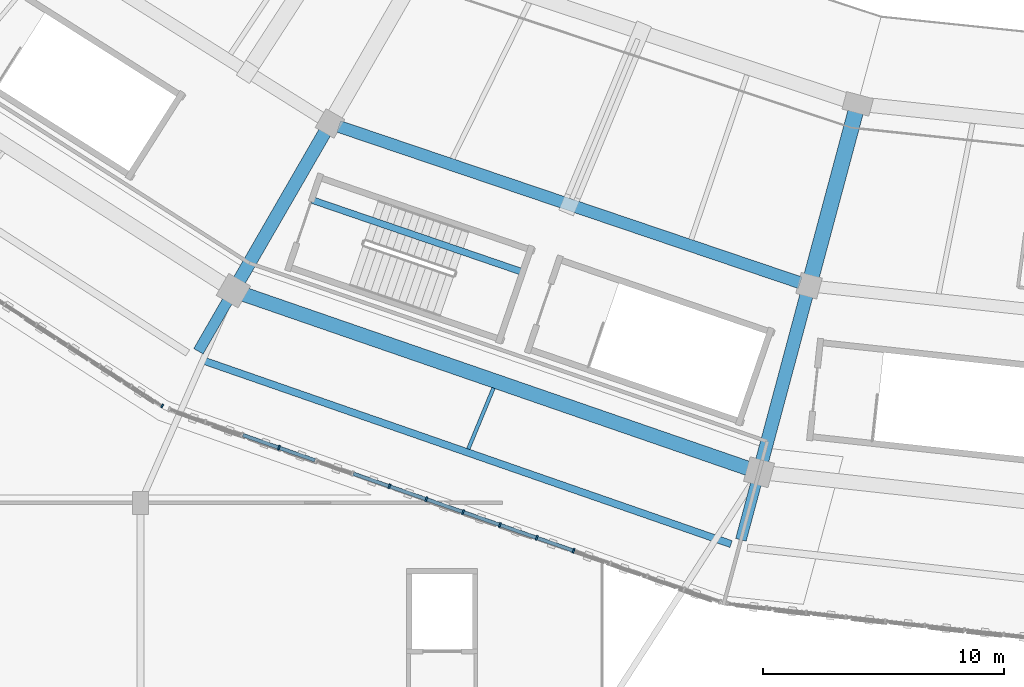
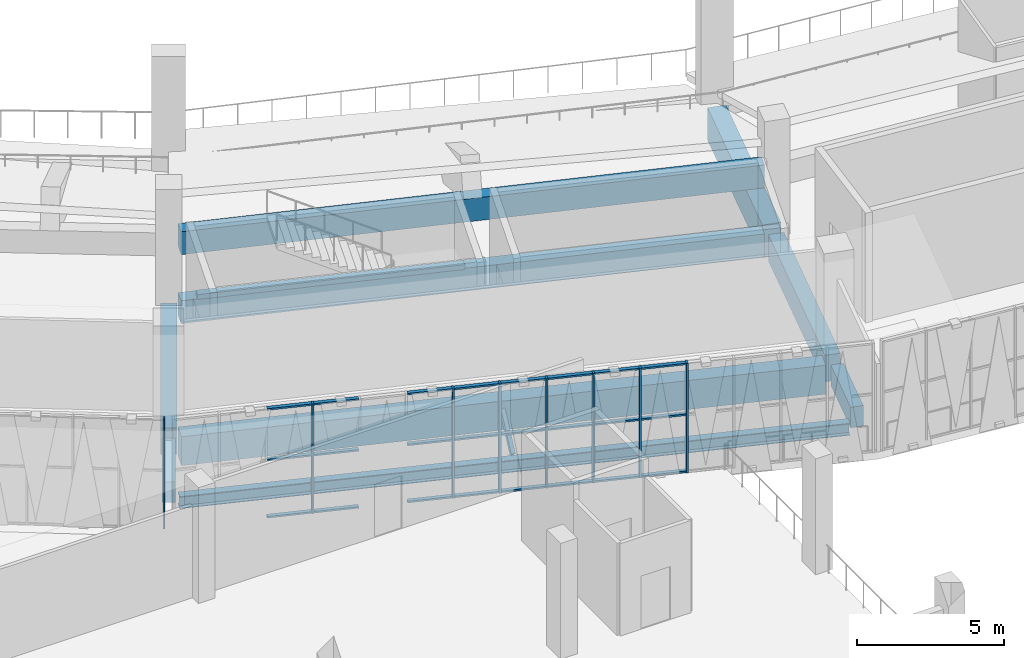
# One storey, part 14 of 152: 32 members, 11 beams, 2 elements without a shape of their own.
"""IFC4 building model written with IfcOpenShell, lengths in metres."""

from ifc_helpers import new_model, si_unit, direction, frame, origin, origin_2d, place, context, subcontext, project, spatial, rectangle, i_section, extrude, material, material_profile, profile_set, type_object, element, aggregate, save


model = new_model("IFC4")

# Units and contexts
model_context = context("Model", 3, precision=1e-05, world=origin(), true_north=direction((0.0, 1.0)))
body_context = subcontext(model_context, "Body", "Model", "MODEL_VIEW")
ifc_project = project(units=[si_unit("LENGTHUNIT", "METRE"), si_unit("AREAUNIT", "SQUARE_METRE"), si_unit("VOLUMEUNIT", "CUBIC_METRE"), si_unit("PLANEANGLEUNIT", "RADIAN"), si_unit("MASSUNIT", "GRAM", prefix="KILO")], contexts=[model_context])

# Site, building, storey
site_placement = place(None, origin())
site = spatial("IfcSite", under=ifc_project, at=site_placement, CompositionType="ELEMENT")
building_placement = place(site_placement, origin())
building = spatial("IfcBuilding", under=site, at=building_placement, Name="Zevraka Park Crest Stadium", CompositionType="ELEMENT")
storey_placement = place(building_placement, frame((0.0, 0.0, 15.0)))
storey = spatial("IfcBuildingStorey", under=building, at=storey_placement, Name="L03", CompositionType="ELEMENT", Elevation=15.0)

# Beams
ifc_material_1 = material(Name="Concrete C40/50", Category="concrete")
ifc_material_profile_1 = material_profile(ifc_material_1, rectangle(XDim=0.64990234375, YDim=1.35009765625, at=origin_2d()), Name="RC 1350x650")
ifc_profile_set_1 = profile_set([ifc_material_profile_1], Name="Concrete C40/50")
beam_type_1 = type_object("IfcBeamType", Name="BG01", PredefinedType="BEAM", material=ifc_profile_set_1)
beam_1_placement = place(storey_placement, frame((92.639892578125, 34.237060546875, -0.68505859375), z_axis=(-0.258747385792, -0.965945024495, 0.0), x_axis=(0.965945024495, -0.258747385792, 0.0)))
element("IfcBeam", 1, at=beam_1_placement, inside=storey, type_object=beam_type_1, Name="Radial Girder BG01 L03-BC-17", PredefinedType="BEAM", context=body_context, shape_type="SweptSolid", body=[
    extrude(rectangle(XDim=0.64990234375, YDim=1.35009765625, at=origin_2d()), origin(), (0.0, 0.0, 1.0), 7.19921875),
])
ifc_material_2 = material(Name="Concrete C40/50", Category="concrete")
ifc_material_profile_2 = material_profile(ifc_material_2, rectangle(XDim=0.550048828125, YDim=1.10009765625, at=origin_2d()), Name="RC 1100x550")
ifc_profile_set_2 = profile_set([ifc_material_profile_2], Name="Concrete C40/50")
beam_type_2 = type_object("IfcBeamType", Name="BG02", PredefinedType="BEAM", material=ifc_profile_set_2)
beam_2_placement = place(storey_placement, frame((70.699951171875, 33.4560546875, -0.56005859375), z_axis=(-0.500031859608, -0.86600700885, 0.0), x_axis=(0.86600700885, -0.500031859608, 0.0)))
element("IfcBeam", 2, at=beam_2_placement, inside=storey, type_object=beam_type_2, Name="Radial Girder BG02 L03-CD-16", PredefinedType="BEAM", context=body_context, shape_type="SweptSolid", body=[
    extrude(rectangle(XDim=0.550048828125, YDim=1.10009765625, at=origin_2d()), origin(), (0.0, 0.0, 1.0), 7.3994140625),
])
beam_3_placement = place(storey_placement, frame((90.62109375, 26.702880859375, -0.56005859375), z_axis=(-0.258697599806, -0.965958359276, 0.0), x_axis=(0.965958359276, -0.258697599806, 0.0)))
element("IfcBeam", 3, at=beam_3_placement, inside=storey, type_object=beam_type_2, Name="Radial Girder BG02 L03-CD-17", PredefinedType="BEAM", context=body_context, shape_type="SweptSolid", body=[
    extrude(rectangle(XDim=0.550048828125, YDim=1.10009765625, at=origin_2d()), origin(), (0.0, 0.0, 1.0), 7.39892578125),
])
ifc_material_3 = material(Name="Concrete C40/50", Category="concrete")
ifc_material_profile_3 = material_profile(ifc_material_3, rectangle(XDim=0.449951171875, YDim=0.85009765625, at=origin_2d()), Name="RC 850x450")
ifc_profile_set_3 = profile_set([ifc_material_profile_3], Name="Concrete C40/50")
beam_type_3 = type_object("IfcBeamType", Name="BG03", PredefinedType="BEAM", material=ifc_profile_set_3)
beam_4_placement = place(storey_placement, frame((66.699951171875, 26.528076171875, -0.43505859375), z_axis=(-0.500128937424, -0.865950948929, 0.0), x_axis=(0.865950948929, -0.500128937424, 0.0)))
element("IfcBeam", 4, at=beam_4_placement, inside=storey, type_object=beam_type_3, Name="Radial Girder BG03 L03-DE-16", PredefinedType="BEAM", context=body_context, shape_type="SweptSolid", body=[
    extrude(rectangle(XDim=0.449951171875, YDim=0.85009765625, at=origin_2d()), origin(), (0.0, 0.0, 1.0), 2.599365234375),
])
beam_5_placement = place(storey_placement, frame((88.551025390625, 18.97607421875, -0.43505859375), z_axis=(-0.258919157159, -0.965898995784, 0.0), x_axis=(0.965898995784, -0.258919157159, 0.0)))
element("IfcBeam", 5, at=beam_5_placement, inside=storey, type_object=beam_type_3, Name="Radial Girder BG03 L03-DE-17", PredefinedType="BEAM", context=body_context, shape_type="SweptSolid", body=[
    extrude(rectangle(XDim=0.449951171875, YDim=0.85009765625, at=origin_2d()), origin(), (0.0, 0.0, 1.0), 2.599609375),
])

# Curtain wall, member
ifc_material_4 = material(Name="Anodised architectural aluminium and laminated safety glass", Category="aluminium")
curtain_wall_type_1 = type_object("IfcCurtainWallType", Name="CW13", PredefinedType="NOTDEFINED", material=ifc_material_4)
curtain_wall_1_placement = place(storey_placement, origin())
curtain_wall_1 = element("IfcCurtainWall", 6, at=curtain_wall_1_placement, inside=storey, type_object=curtain_wall_type_1, Name="Unitised Ring Curtain Wall CW13 L03-15", PredefinedType="NOTDEFINED")
ifc_material_5 = material(Name="Anodised architectural aluminium", Category="aluminium")
ifc_material_profile_4 = material_profile(ifc_material_5, rectangle(XDim=0.159912109375, YDim=0.06005859375, at=origin_2d()), Name="ALU MULLION 160x60")
ifc_profile_set_4 = profile_set([ifc_material_profile_4], Name="Anodised architectural aluminium")
member_type_1 = type_object("IfcMemberType", Name="CM01", PredefinedType="MULLION", material=ifc_profile_set_4)
member_1_placement = place(storey_placement, frame((63.90087890625, 22.01123046875, 0.0), z_axis=(0.0, 0.0, 1.0), x_axis=(0.543469160232, 0.839429134517, 0.0)))
member_1 = element("IfcMember", 7, at=member_1_placement, type_object=member_type_1, Name="CW13 mullion 16", PredefinedType="MULLION", context=body_context, shape_type="SweptSolid", body=[
    extrude(rectangle(XDim=0.159912109375, YDim=0.06005859375, at=origin_2d()), origin(), (0.0, 0.0, 1.0), 4.5400390625),
])
aggregate(curtain_wall_1, [member_1])

# Curtain wall, members
ifc_material_6 = material(Name="Anodised architectural aluminium and laminated safety glass", Category="aluminium")
curtain_wall_type_2 = type_object("IfcCurtainWallType", Name="CW12", PredefinedType="NOTDEFINED", material=ifc_material_6)
curtain_wall_2_placement = place(storey_placement, origin())
curtain_wall_2 = element("IfcCurtainWall", 8, at=curtain_wall_2_placement, inside=storey, type_object=curtain_wall_type_2, Name="Unitised Ring Curtain Wall CW12 L03-16", PredefinedType="NOTDEFINED")
ifc_material_7 = material(Name="Anodised architectural aluminium", Category="aluminium")
ifc_material_profile_5 = material_profile(ifc_material_7, rectangle(XDim=0.199951171875, YDim=0.070068359375, at=origin_2d()), Name="ALU MULLION 200x70")
ifc_profile_set_5 = profile_set([ifc_material_profile_5], Name="Anodised architectural aluminium")
member_type_2 = type_object("IfcMemberType", Name="CM03", PredefinedType="MULLION", material=ifc_profile_set_5)
member_2_placement = place(storey_placement, frame((68.736572265625, 20.28125, 0.0), z_axis=(0.0, 0.0, 1.0), x_axis=(0.329916814701, 0.944010008092, 0.0)))
member_2 = element("IfcMember", 9, at=member_2_placement, type_object=member_type_2, Name="CW12 mullion 4", PredefinedType="MULLION", context=body_context, shape_type="SweptSolid", body=[
    extrude(rectangle(XDim=0.199951171875, YDim=0.070068359375, at=origin_2d()), origin(), (0.0, 0.0, 1.0), 4.5400390625),
])
member_3_placement = place(storey_placement, frame((73.314208984375, 18.681396484375, 0.0), z_axis=(0.0, 0.0, 1.0), x_axis=(0.329916814701, 0.944010008092, 0.0)))
member_3 = element("IfcMember", 10, at=member_3_placement, type_object=member_type_2, Name="CW12 mullion 7", PredefinedType="MULLION", context=body_context, shape_type="SweptSolid", body=[
    extrude(rectangle(XDim=0.199951171875, YDim=0.070068359375, at=origin_2d()), origin(), (0.0, 0.0, 1.0), 4.5400390625),
])
member_4_placement = place(storey_placement, frame((74.840087890625, 18.148193359375, 0.0), z_axis=(0.0, 0.0, 1.0), x_axis=(0.329916814701, 0.944010008092, 0.0)))
member_4 = element("IfcMember", 11, at=member_4_placement, type_object=member_type_2, Name="CW12 mullion 8", PredefinedType="MULLION", context=body_context, shape_type="SweptSolid", body=[
    extrude(rectangle(XDim=0.199951171875, YDim=0.070068359375, at=origin_2d()), origin(), (0.0, 0.0, 1.0), 4.5400390625),
])
member_5_placement = place(storey_placement, frame((76.365966796875, 17.61474609375, 0.0), z_axis=(0.0, 0.0, 1.0), x_axis=(0.329916814701, 0.944010008092, 0.0)))
member_5 = element("IfcMember", 12, at=member_5_placement, type_object=member_type_2, Name="CW12 mullion 9", PredefinedType="MULLION", context=body_context, shape_type="SweptSolid", body=[
    extrude(rectangle(XDim=0.199951171875, YDim=0.070068359375, at=origin_2d()), origin(), (0.0, 0.0, 1.0), 4.5400390625),
])
member_6_placement = place(storey_placement, frame((77.891845703125, 17.08154296875, 0.0), z_axis=(0.0, 0.0, 1.0), x_axis=(0.329916814701, 0.944010008092, 0.0)))
member_6 = element("IfcMember", 13, at=member_6_placement, type_object=member_type_2, Name="CW12 mullion 10", PredefinedType="MULLION", context=body_context, shape_type="SweptSolid", body=[
    extrude(rectangle(XDim=0.199951171875, YDim=0.070068359375, at=origin_2d()), origin(), (0.0, 0.0, 1.0), 4.5400390625),
])
member_7_placement = place(storey_placement, frame((79.417724609375, 16.54833984375, 0.0), z_axis=(0.0, 0.0, 1.0), x_axis=(0.329916814701, 0.944010008092, 0.0)))
member_7 = element("IfcMember", 14, at=member_7_placement, type_object=member_type_2, Name="CW12 mullion 11", PredefinedType="MULLION", context=body_context, shape_type="SweptSolid", body=[
    extrude(rectangle(XDim=0.199951171875, YDim=0.070068359375, at=origin_2d()), origin(), (0.0, 0.0, 1.0), 4.5400390625),
])
member_8_placement = place(storey_placement, frame((80.943603515625, 16.01513671875, 0.0), z_axis=(0.0, 0.0, 1.0), x_axis=(0.329916814701, 0.944010008092, 0.0)))
member_8 = element("IfcMember", 15, at=member_8_placement, type_object=member_type_2, Name="CW12 mullion 12", PredefinedType="MULLION", context=body_context, shape_type="SweptSolid", body=[
    extrude(rectangle(XDim=0.199951171875, YDim=0.070068359375, at=origin_2d()), origin(), (0.0, 0.0, 1.0), 4.5400390625),
])
ifc_material_8 = material(Name="Anodised architectural aluminium", Category="aluminium")
ifc_material_profile_6 = material_profile(ifc_material_8, rectangle(XDim=0.14990234375, YDim=0.070068359375, at=origin_2d()), Name="ALU TRANSOM 150x70")
ifc_profile_set_6 = profile_set([ifc_material_profile_6], Name="Anodised architectural aluminium")
member_type_3 = type_object("IfcMemberType", Name="CT03", PredefinedType="USERDEFINED", material=ifc_profile_set_6)
member_9_placement = place(storey_placement, frame((67.24365234375, 20.802978515625, 0.034912109375), z_axis=(0.944005926705, -0.329928492778, 0.0), x_axis=(0.329928492778, 0.944005926705, 0.0)))
member_9 = element("IfcMember", 16, at=member_9_placement, type_object=member_type_3, Name="CW12 transom 3.1", ObjectType="TRANSOM", PredefinedType="USERDEFINED", context=body_context, shape_type="SweptSolid", body=[
    extrude(rectangle(XDim=0.14990234375, YDim=0.070068359375, at=origin_2d()), origin(), (0.0, 0.0, 1.0), 1.546630859375),
])
member_10_placement = place(storey_placement, frame((67.24365234375, 20.802978515625, 2.39990234375), z_axis=(0.944005926705, -0.329928492778, 0.0), x_axis=(0.329928492778, 0.944005926705, 0.0)))
member_10 = element("IfcMember", 17, at=member_10_placement, type_object=member_type_3, Name="CW12 transom 3.2", ObjectType="TRANSOM", PredefinedType="USERDEFINED", context=body_context, shape_type="SweptSolid", body=[
    extrude(rectangle(XDim=0.14990234375, YDim=0.070068359375, at=origin_2d()), origin(), (0.0, 0.0, 1.0), 1.546630859375),
])
member_11_placement = place(storey_placement, frame((67.24365234375, 20.802978515625, 4.5048828125), z_axis=(0.944005926705, -0.329928492778, 0.0), x_axis=(0.329928492778, 0.944005926705, 0.0)))
member_11 = element("IfcMember", 18, at=member_11_placement, type_object=member_type_3, Name="CW12 transom 3.3", ObjectType="TRANSOM", PredefinedType="USERDEFINED", context=body_context, shape_type="SweptSolid", body=[
    extrude(rectangle(XDim=0.14990234375, YDim=0.070068359375, at=origin_2d()), origin(), (0.0, 0.0, 1.0), 1.546630859375),
])
member_12_placement = place(storey_placement, frame((68.76953125, 20.26953125, 0.034912109375), z_axis=(0.944055085145, -0.329787804827, 0.0), x_axis=(0.329787804827, 0.944055085145, 0.0)))
member_12 = element("IfcMember", 19, at=member_12_placement, type_object=member_type_3, Name="CW12 transom 4.1", ObjectType="TRANSOM", PredefinedType="USERDEFINED", context=body_context, shape_type="SweptSolid", body=[
    extrude(rectangle(XDim=0.14990234375, YDim=0.070068359375, at=origin_2d()), origin(), (0.0, 0.0, 1.0), 1.54638671875),
])
member_13_placement = place(storey_placement, frame((68.76953125, 20.26953125, 2.39990234375), z_axis=(0.944055085145, -0.329787804827, 0.0), x_axis=(0.329787804827, 0.944055085145, 0.0)))
member_13 = element("IfcMember", 20, at=member_13_placement, type_object=member_type_3, Name="CW12 transom 4.2", ObjectType="TRANSOM", PredefinedType="USERDEFINED", context=body_context, shape_type="SweptSolid", body=[
    extrude(rectangle(XDim=0.14990234375, YDim=0.070068359375, at=origin_2d()), origin(), (0.0, 0.0, 1.0), 1.54638671875),
])
member_14_placement = place(storey_placement, frame((68.76953125, 20.26953125, 4.5048828125), z_axis=(0.944055085145, -0.329787804827, 0.0), x_axis=(0.329787804827, 0.944055085145, 0.0)))
member_14 = element("IfcMember", 21, at=member_14_placement, type_object=member_type_3, Name="CW12 transom 4.3", ObjectType="TRANSOM", PredefinedType="USERDEFINED", context=body_context, shape_type="SweptSolid", body=[
    extrude(rectangle(XDim=0.14990234375, YDim=0.070068359375, at=origin_2d()), origin(), (0.0, 0.0, 1.0), 1.54638671875),
])
member_15_placement = place(storey_placement, frame((71.8212890625, 19.203125, 0.034912109375), z_axis=(0.944005926705, -0.329928492778, 0.0), x_axis=(0.329928492778, 0.944005926705, 0.0)))
member_15 = element("IfcMember", 22, at=member_15_placement, type_object=member_type_3, Name="CW12 transom 6.1", ObjectType="TRANSOM", PredefinedType="USERDEFINED", context=body_context, shape_type="SweptSolid", body=[
    extrude(rectangle(XDim=0.14990234375, YDim=0.070068359375, at=origin_2d()), origin(), (0.0, 0.0, 1.0), 1.546630859375),
])
member_16_placement = place(storey_placement, frame((71.8212890625, 19.203125, 2.39990234375), z_axis=(0.944005926705, -0.329928492778, 0.0), x_axis=(0.329928492778, 0.944005926705, 0.0)))
member_16 = element("IfcMember", 23, at=member_16_placement, type_object=member_type_3, Name="CW12 transom 6.2", ObjectType="TRANSOM", PredefinedType="USERDEFINED", context=body_context, shape_type="SweptSolid", body=[
    extrude(rectangle(XDim=0.14990234375, YDim=0.070068359375, at=origin_2d()), origin(), (0.0, 0.0, 1.0), 1.546630859375),
])
member_17_placement = place(storey_placement, frame((71.8212890625, 19.203125, 4.5048828125), z_axis=(0.944005926705, -0.329928492778, 0.0), x_axis=(0.329928492778, 0.944005926705, 0.0)))
member_17 = element("IfcMember", 24, at=member_17_placement, type_object=member_type_3, Name="CW12 transom 6.3", ObjectType="TRANSOM", PredefinedType="USERDEFINED", context=body_context, shape_type="SweptSolid", body=[
    extrude(rectangle(XDim=0.14990234375, YDim=0.070068359375, at=origin_2d()), origin(), (0.0, 0.0, 1.0), 1.546630859375),
])
member_18_placement = place(storey_placement, frame((73.34716796875, 18.669921875, 0.034912109375), z_axis=(0.944005926705, -0.329928492778, 0.0), x_axis=(0.329928492778, 0.944005926705, 0.0)))
member_18 = element("IfcMember", 25, at=member_18_placement, type_object=member_type_3, Name="CW12 transom 7.1", ObjectType="TRANSOM", PredefinedType="USERDEFINED", context=body_context, shape_type="SweptSolid", body=[
    extrude(rectangle(XDim=0.14990234375, YDim=0.070068359375, at=origin_2d()), origin(), (0.0, 0.0, 1.0), 1.546630859375),
])
member_19_placement = place(storey_placement, frame((73.34716796875, 18.669921875, 2.39990234375), z_axis=(0.944005926705, -0.329928492778, 0.0), x_axis=(0.329928492778, 0.944005926705, 0.0)))
member_19 = element("IfcMember", 26, at=member_19_placement, type_object=member_type_3, Name="CW12 transom 7.2", ObjectType="TRANSOM", PredefinedType="USERDEFINED", context=body_context, shape_type="SweptSolid", body=[
    extrude(rectangle(XDim=0.14990234375, YDim=0.070068359375, at=origin_2d()), origin(), (0.0, 0.0, 1.0), 1.546630859375),
])
member_20_placement = place(storey_placement, frame((73.34716796875, 18.669921875, 4.5048828125), z_axis=(0.944005926705, -0.329928492778, 0.0), x_axis=(0.329928492778, 0.944005926705, 0.0)))
member_20 = element("IfcMember", 27, at=member_20_placement, type_object=member_type_3, Name="CW12 transom 7.3", ObjectType="TRANSOM", PredefinedType="USERDEFINED", context=body_context, shape_type="SweptSolid", body=[
    extrude(rectangle(XDim=0.14990234375, YDim=0.070068359375, at=origin_2d()), origin(), (0.0, 0.0, 1.0), 1.546630859375),
])
member_21_placement = place(storey_placement, frame((74.873046875, 18.136474609375, 0.034912109375), z_axis=(0.944055085145, -0.329787804827, 0.0), x_axis=(0.329787804827, 0.944055085145, 0.0)))
member_21 = element("IfcMember", 28, at=member_21_placement, type_object=member_type_3, Name="CW12 transom 8.1", ObjectType="TRANSOM", PredefinedType="USERDEFINED", context=body_context, shape_type="SweptSolid", body=[
    extrude(rectangle(XDim=0.14990234375, YDim=0.070068359375, at=origin_2d()), origin(), (0.0, 0.0, 1.0), 1.54638671875),
])
member_22_placement = place(storey_placement, frame((74.873046875, 18.136474609375, 2.39990234375), z_axis=(0.944055085145, -0.329787804827, 0.0), x_axis=(0.329787804827, 0.944055085145, 0.0)))
member_22 = element("IfcMember", 29, at=member_22_placement, type_object=member_type_3, Name="CW12 transom 8.2", ObjectType="TRANSOM", PredefinedType="USERDEFINED", context=body_context, shape_type="SweptSolid", body=[
    extrude(rectangle(XDim=0.14990234375, YDim=0.070068359375, at=origin_2d()), origin(), (0.0, 0.0, 1.0), 1.54638671875),
])
member_23_placement = place(storey_placement, frame((74.873046875, 18.136474609375, 4.5048828125), z_axis=(0.944055085145, -0.329787804827, 0.0), x_axis=(0.329787804827, 0.944055085145, 0.0)))
member_23 = element("IfcMember", 30, at=member_23_placement, type_object=member_type_3, Name="CW12 transom 8.3", ObjectType="TRANSOM", PredefinedType="USERDEFINED", context=body_context, shape_type="SweptSolid", body=[
    extrude(rectangle(XDim=0.14990234375, YDim=0.070068359375, at=origin_2d()), origin(), (0.0, 0.0, 1.0), 1.54638671875),
])
member_24_placement = place(storey_placement, frame((76.39892578125, 17.603271484375, 0.034912109375), z_axis=(0.944037911501, -0.329836962222, 0.0), x_axis=(0.329836962222, 0.944037911501, 0.0)))
member_24 = element("IfcMember", 31, at=member_24_placement, type_object=member_type_3, Name="CW12 transom 9.1", ObjectType="TRANSOM", PredefinedType="USERDEFINED", context=body_context, shape_type="SweptSolid", body=[
    extrude(rectangle(XDim=0.14990234375, YDim=0.070068359375, at=origin_2d()), origin(), (0.0, 0.0, 1.0), 1.546142578125),
])
member_25_placement = place(storey_placement, frame((76.39892578125, 17.603271484375, 2.39990234375), z_axis=(0.944037911501, -0.329836962222, 0.0), x_axis=(0.329836962222, 0.944037911501, 0.0)))
member_25 = element("IfcMember", 32, at=member_25_placement, type_object=member_type_3, Name="CW12 transom 9.2", ObjectType="TRANSOM", PredefinedType="USERDEFINED", context=body_context, shape_type="SweptSolid", body=[
    extrude(rectangle(XDim=0.14990234375, YDim=0.070068359375, at=origin_2d()), origin(), (0.0, 0.0, 1.0), 1.546142578125),
])
member_26_placement = place(storey_placement, frame((76.39892578125, 17.603271484375, 4.5048828125), z_axis=(0.944037911501, -0.329836962222, 0.0), x_axis=(0.329836962222, 0.944037911501, 0.0)))
member_26 = element("IfcMember", 33, at=member_26_placement, type_object=member_type_3, Name="CW12 transom 9.3", ObjectType="TRANSOM", PredefinedType="USERDEFINED", context=body_context, shape_type="SweptSolid", body=[
    extrude(rectangle(XDim=0.14990234375, YDim=0.070068359375, at=origin_2d()), origin(), (0.0, 0.0, 1.0), 1.546142578125),
])
member_27_placement = place(storey_placement, frame((77.9248046875, 17.070068359375, 0.034912109375), z_axis=(0.943988739301, -0.329977666021, 0.0), x_axis=(0.329977666021, 0.943988739301, 0.0)))
member_27 = element("IfcMember", 34, at=member_27_placement, type_object=member_type_3, Name="CW12 transom 10.1", ObjectType="TRANSOM", PredefinedType="USERDEFINED", context=body_context, shape_type="SweptSolid", body=[
    extrude(rectangle(XDim=0.14990234375, YDim=0.070068359375, at=origin_2d()), origin(), (0.0, 0.0, 1.0), 1.54638671875),
])
member_28_placement = place(storey_placement, frame((77.9248046875, 17.070068359375, 2.39990234375), z_axis=(0.943988739301, -0.329977666021, 0.0), x_axis=(0.329977666021, 0.943988739301, 0.0)))
member_28 = element("IfcMember", 35, at=member_28_placement, type_object=member_type_3, Name="CW12 transom 10.2", ObjectType="TRANSOM", PredefinedType="USERDEFINED", context=body_context, shape_type="SweptSolid", body=[
    extrude(rectangle(XDim=0.14990234375, YDim=0.070068359375, at=origin_2d()), origin(), (0.0, 0.0, 1.0), 1.54638671875),
])
member_29_placement = place(storey_placement, frame((77.9248046875, 17.070068359375, 4.5048828125), z_axis=(0.943988739301, -0.329977666021, 0.0), x_axis=(0.329977666021, 0.943988739301, 0.0)))
member_29 = element("IfcMember", 36, at=member_29_placement, type_object=member_type_3, Name="CW12 transom 10.3", ObjectType="TRANSOM", PredefinedType="USERDEFINED", context=body_context, shape_type="SweptSolid", body=[
    extrude(rectangle(XDim=0.14990234375, YDim=0.070068359375, at=origin_2d()), origin(), (0.0, 0.0, 1.0), 1.54638671875),
])
member_30_placement = place(storey_placement, frame((79.45068359375, 16.536865234375, 0.034912109375), z_axis=(0.943988739301, -0.329977666021, 0.0), x_axis=(0.329977666021, 0.943988739301, 0.0)))
member_30 = element("IfcMember", 37, at=member_30_placement, type_object=member_type_3, Name="CW12 transom 11.1", ObjectType="TRANSOM", PredefinedType="USERDEFINED", context=body_context, shape_type="SweptSolid", body=[
    extrude(rectangle(XDim=0.14990234375, YDim=0.070068359375, at=origin_2d()), origin(), (0.0, 0.0, 1.0), 1.54638671875),
])
member_31_placement = place(storey_placement, frame((79.45068359375, 16.536865234375, 2.39990234375), z_axis=(0.943988739301, -0.329977666021, 0.0), x_axis=(0.329977666021, 0.943988739301, 0.0)))
member_31 = element("IfcMember", 38, at=member_31_placement, type_object=member_type_3, Name="CW12 transom 11.2", ObjectType="TRANSOM", PredefinedType="USERDEFINED", context=body_context, shape_type="SweptSolid", body=[
    extrude(rectangle(XDim=0.14990234375, YDim=0.070068359375, at=origin_2d()), origin(), (0.0, 0.0, 1.0), 1.54638671875),
])
member_32_placement = place(storey_placement, frame((79.45068359375, 16.536865234375, 4.5048828125), z_axis=(0.943988739301, -0.329977666021, 0.0), x_axis=(0.329977666021, 0.943988739301, 0.0)))
member_32 = element("IfcMember", 39, at=member_32_placement, type_object=member_type_3, Name="CW12 transom 11.3", ObjectType="TRANSOM", PredefinedType="USERDEFINED", context=body_context, shape_type="SweptSolid", body=[
    extrude(rectangle(XDim=0.14990234375, YDim=0.070068359375, at=origin_2d()), origin(), (0.0, 0.0, 1.0), 1.54638671875),
])
aggregate(curtain_wall_2, [member_2, member_3, member_4, member_5, member_6, member_7, member_8, member_9, member_10, member_11, member_12, member_13, member_14, member_15, member_16, member_17, member_18, member_19, member_20, member_21, member_22, member_23, member_24, member_25, member_26, member_27, member_28, member_29, member_30, member_31, member_32])

# Beams
ifc_material_9 = material(Name="Concrete C40/50", Category="concrete")
ifc_material_profile_7 = material_profile(ifc_material_9, rectangle(XDim=0.60009765625, YDim=1.199951171875, at=origin_2d()), Name="RC 1200x600")
ifc_profile_set_7 = profile_set([ifc_material_profile_7], Name="Concrete C40/50")
beam_type_4 = type_object("IfcBeamType", Name="RB01", PredefinedType="BEAM", material=ifc_profile_set_7)
beam_6_placement = place(storey_placement, frame((67.208984375, 26.6640625, -0.610107421875), z_axis=(0.945210431582, -0.326461697644, 0.0), x_axis=(0.326461697644, 0.945210431582, 0.0)))
element("IfcBeam", 40, at=beam_6_placement, inside=storey, type_object=beam_type_4, Name="Ring Beam RB01 L03-D-16", PredefinedType="BEAM", context=body_context, shape_type="SweptSolid", body=[
    extrude(rectangle(XDim=0.60009765625, YDim=1.199951171875, at=origin_2d()), origin(), (0.0, 0.0, 1.0), 22.28173828125),
])
ifc_material_10 = material(Name="Concrete C40/50", Category="concrete")
ifc_material_profile_8 = material_profile(ifc_material_10, rectangle(XDim=0.5, YDim=0.949951171875, at=origin_2d()), Name="RC 950x500")
ifc_profile_set_8 = profile_set([ifc_material_profile_8], Name="Concrete C40/50")
beam_type_5 = type_object("IfcBeamType", Name="RB02", PredefinedType="BEAM", material=ifc_profile_set_8)
for number, where, z_axis, x_axis, name in (
    (41, (71.2099609375, 33.593994140625, -0.485107421875), (0.947147952377, -0.320797064058, 0.0), (0.320797064058, 0.947147952377, 0.0), "Ring Beam RB02 L03-C-16"),
    (42, (71.2099609375, 33.593994140625, 2.375), (0.947147952377, -0.320797064058, 0.0), (0.320797064058, 0.947147952377, 0.0), "Upper Tier Head Raker Ring Beam RB02 16"),
):
    element("IfcBeam", number, at=place(storey_placement, frame(where, z_axis=z_axis, x_axis=x_axis)), inside=storey, type_object=beam_type_5, Name=name, PredefinedType="BEAM", context=body_context, shape_type="SweptSolid", body=[
        extrude(rectangle(XDim=0.5, YDim=0.949951171875, at=origin_2d()), origin(), (0.0, 0.0, 1.0), 20.196533203125),
    ])
ifc_material_11 = material(Name="Steel S355", Category="steel")
ifc_material_profile_9 = material_profile(ifc_material_11, i_section(OverallWidth=0.300048828125, OverallDepth=0.5, WebThickness=0.014404296875, FlangeThickness=0.028076171875, at=origin_2d()), Name="HEB 500")
ifc_profile_set_9 = profile_set([ifc_material_profile_9], Name="Steel S355")
beam_type_6 = type_object("IfcBeamType", Name="RB05", PredefinedType="BEAM", material=ifc_profile_set_9)
beam_7_placement = place(storey_placement, frame((65.5810546875, 23.902099609375, -0.60498046875), z_axis=(0.944512003331, -0.328476902634, 0.0), x_axis=(0.328476902634, 0.944512003331, 0.0)))
element("IfcBeam", 43, at=beam_7_placement, inside=storey, type_object=beam_type_6, Name="Ring Beam RB05 L03-E-16", PredefinedType="BEAM", context=body_context, shape_type="SweptSolid", body=[
    extrude(i_section(OverallWidth=0.300048828125, OverallDepth=0.5, WebThickness=0.014404296875, FlangeThickness=0.028076171875, at=origin_2d()), origin(), (0.0, 0.0, 1.0), 23.173828125),
])
ifc_material_12 = material(Name="Steel S355", Category="steel")
ifc_material_profile_10 = material_profile(ifc_material_12, i_section(OverallWidth=0.14990234375, OverallDepth=0.300048828125, WebThickness=0.007080078125, FlangeThickness=0.0107421875, at=origin_2d()), Name="IPE 300")
ifc_profile_set_10 = profile_set([ifc_material_profile_10], Name="Steel S355")
beam_type_7 = type_object("IfcBeamType", Name="SJ01", PredefinedType="JOIST", material=ifc_profile_set_10)
beam_8_placement = place(storey_placement, frame((77.626953125, 22.75390625, -0.4580078125), z_axis=(-0.3828253139, -0.923820750491, 0.0), x_axis=(0.923820750491, -0.3828253139, 0.0)))
element("IfcBeam", 44, at=beam_8_placement, inside=storey, type_object=beam_type_7, Name="Floor Joist SJ01 L03-DE-16-1", PredefinedType="JOIST", context=body_context, shape_type="SweptSolid", body=[
    extrude(i_section(OverallWidth=0.14990234375, OverallDepth=0.300048828125, WebThickness=0.007080078125, FlangeThickness=0.0107421875, at=origin_2d()), origin(), (0.0, 0.0, 1.0), 2.73193359375),
])
ifc_material_13 = material(Name="Concrete C40/50", Category="concrete")
ifc_material_profile_11 = material_profile(ifc_material_13, rectangle(XDim=0.280029296875, YDim=0.199951171875, at=origin_2d()), Name="RC 200x280")
ifc_profile_set_11 = profile_set([ifc_material_profile_11], Name="Concrete C40/50")
beam_type_8 = type_object("IfcBeamType", Name="SJ13", PredefinedType="JOIST", material=ifc_profile_set_11)
beam_9_placement = place(storey_placement, frame((70.117919921875, 30.542236328125, 2.300048828125), z_axis=(0.946065027556, -0.323976794902, 0.0), x_axis=(0.323976794902, 0.946065027556, 0.0)))
element("IfcBeam", 45, at=beam_9_placement, inside=storey, type_object=beam_type_8, Name="Stair Upper-Flight Longitudinal Stringer SJ13 ST17-L03", PredefinedType="JOIST", context=body_context, shape_type="SweptSolid", body=[
    extrude(rectangle(XDim=0.280029296875, YDim=0.199951171875, at=origin_2d()), origin(), (0.0, 0.0, 1.0), 9.250244140625),
])

save(model, "model.ifc")
